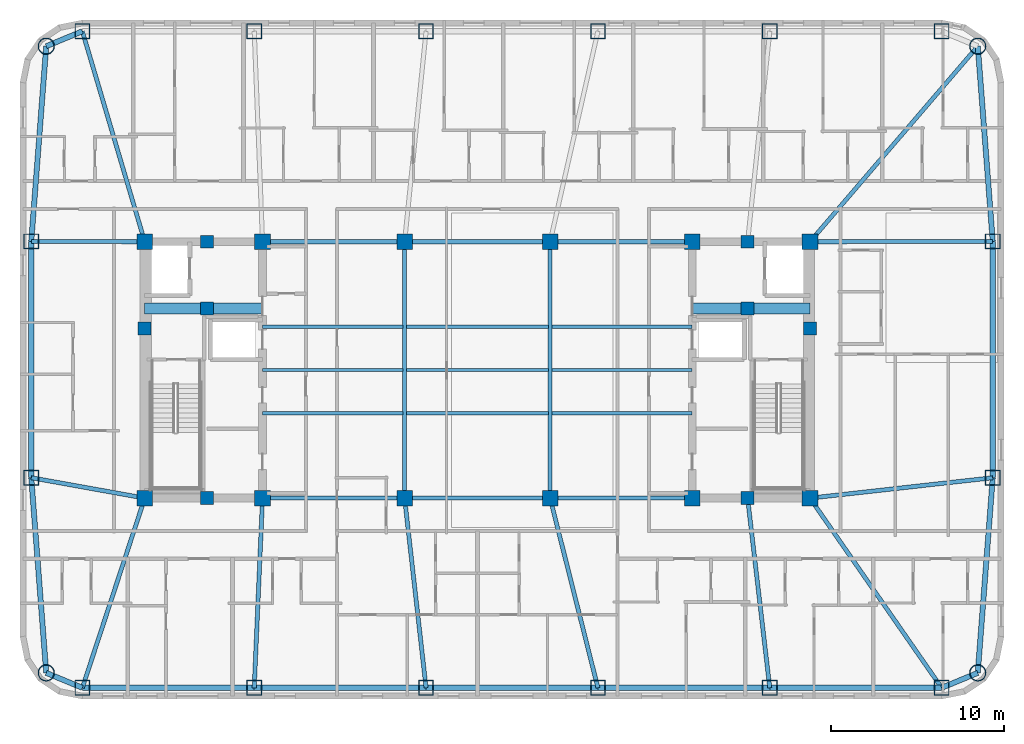
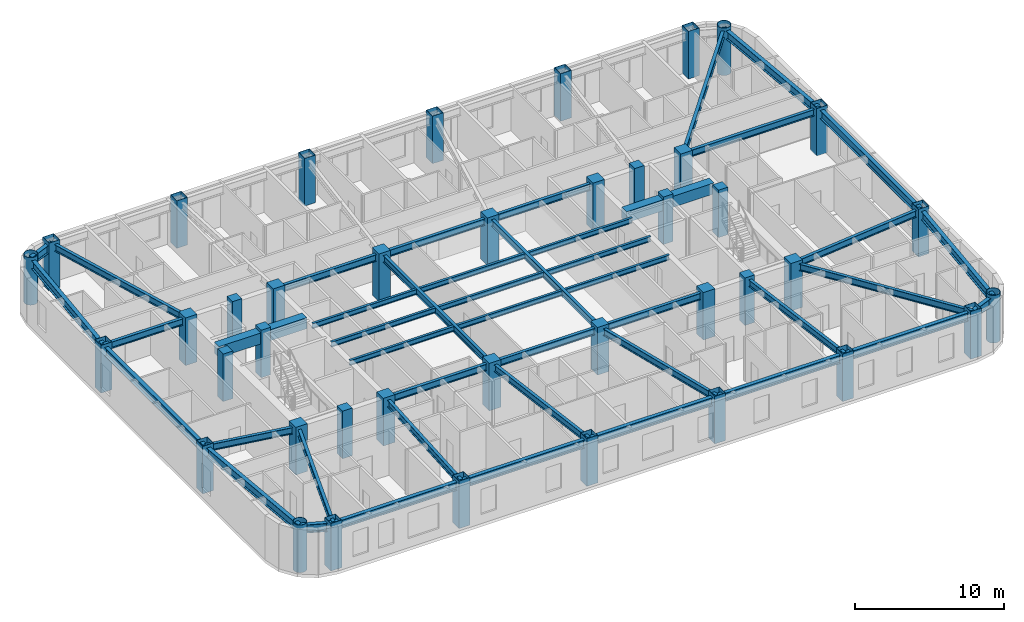
# One storey, part 1 of 11: 45 beams, 40 columns.
"""IFC4 building model written with IfcOpenShell, lengths in metres."""

import ifcopenshell
import ifcopenshell.guid

model = None  # the IFC model being written
_history = None  # IfcOwnerHistory: only IFC2X3 demands one
_inside = {}  # id of a spatial element -> (the spatial element, [elements in it])
_under = {}  # id of a project, library or spatial element -> (it, [spatial elements below it])
_declared = {}  # id of a project -> (the project, [libraries it declares])
_typed = {}  # id of a type object -> (the type object, [elements of that type])
_made_of = {}  # id of a material, layer set ... -> (it, [elements and type objects made of it])


def new_model(schema):
    """Start an empty IFC model of exactly this schema.

    Asked for "IFC4X3", IfcOpenShell would pick the latest addendum, in which some entities
    have other attributes; the version numbers below select the first issue.
    IFC2X3 requires an IfcOwnerHistory on every rooted entity: one is made here for all.
    """
    global model, _history
    if schema == "IFC4X3":
        model = ifcopenshell.file(schema_version=(4, 3, 0, 0))
    else:
        model = ifcopenshell.file(schema=schema)
    _inside.clear()
    _under.clear()
    _declared.clear()
    _typed.clear()
    _made_of.clear()
    _history = None
    if model.schema == "IFC2X3":
        org = make("IfcOrganization", Name="unknown")
        user = make(
            "IfcPersonAndOrganization",
            ThePerson=make("IfcPerson", FamilyName="unknown"),
            TheOrganization=org,
        )
        app = make(
            "IfcApplication",
            ApplicationDeveloper=org,
            Version="unknown",
            ApplicationFullName="unknown",
            ApplicationIdentifier="unknown",
        )
        _history = make(
            "IfcOwnerHistory",
            OwningUser=user,
            OwningApplication=app,
            ChangeAction="ADDED",
            CreationDate=0,
        )
    return model


def make(cls, **values):
    """One entity of the class cls with the attributes given. An attribute that is None is left unset."""
    return model.create_entity(
        cls, **{name: value for name, value in values.items() if value is not None}
    )


def rooted(cls, **values):
    """An entity with a GlobalId (a new one), such as an element, a storey or a relation."""
    return make(cls, GlobalId=ifcopenshell.guid.new(), OwnerHistory=_history, **values)


def si_unit(unit_type, name, prefix=None):
    """IfcSIUnit, for example si_unit("LENGTHUNIT", "METRE", prefix="MILLI")."""
    return make("IfcSIUnit", UnitType=unit_type, Prefix=prefix, Name=name)


def assignment(units):
    """IfcUnitAssignment: the units of a project."""
    return None if units is None else make("IfcUnitAssignment", Units=units)


def point(xyz):
    """IfcCartesianPoint."""
    return None if xyz is None else make("IfcCartesianPoint", Coordinates=xyz)


def direction(xyz):
    """IfcDirection."""
    return None if xyz is None else make("IfcDirection", DirectionRatios=xyz)


def frame(location, z_axis=None, x_axis=None):
    """IfcAxis2Placement3D, a coordinate frame: its origin and axes. An axis left out is left unset."""
    return make(
        "IfcAxis2Placement3D",
        Location=point(location),
        Axis=direction(z_axis),
        RefDirection=direction(x_axis),
    )


def frame_2d(location, x_axis=None):
    """IfcAxis2Placement2D, a coordinate frame in the plane: its origin and x axis."""
    return make(
        "IfcAxis2Placement2D", Location=point(location), RefDirection=direction(x_axis)
    )


def origin():
    """The frame at (0, 0, 0) with its axes left unset."""
    return frame((0.0, 0.0, 0.0))


def origin_2d():
    """The frame at (0, 0) in the plane with its x axis left unset."""
    return frame_2d((0.0, 0.0))


def place(relative_to, where):
    """IfcLocalPlacement: puts the frame where relative to a parent placement (None: the world)."""
    return make(
        "IfcLocalPlacement", PlacementRelTo=relative_to, RelativePlacement=where
    )


def context(
    kind, dimensions, precision=None, world=None, true_north=None, identifier=None
):
    """IfcGeometricRepresentationContext, for example the 3D "Model" context."""
    return make(
        "IfcGeometricRepresentationContext",
        ContextIdentifier=identifier,
        ContextType=kind,
        CoordinateSpaceDimension=dimensions,
        Precision=precision,
        WorldCoordinateSystem=world,
        TrueNorth=true_north,
    )


def subcontext(parent, identifier, kind, view, scale=None):
    """IfcGeometricRepresentationSubContext, for example "Body" below "Model"."""
    return make(
        "IfcGeometricRepresentationSubContext",
        ContextIdentifier=identifier,
        ContextType=kind,
        ParentContext=parent,
        TargetScale=scale,
        TargetView=view,
    )


def project(units=None, contexts=None):
    """IfcProject with its units and contexts."""
    return rooted(
        "IfcProject",
        Name="project",
        RepresentationContexts=contexts,
        UnitsInContext=assignment(units),
    )


def spatial(cls, under=None, at=None, **own):
    """A site, building, storey or space (cls), placed at a placement, below another one or the project."""
    s = rooted(cls, ObjectPlacement=at, **own)
    if under is not None:
        _under.setdefault(under.id(), (under, []))[1].append(s)
    return s


def profile(cls, at=None, kind="AREA", **sizes):
    """A parametric profile (cls). Its sizes go by their IFC names, for example OverallWidth=200.0."""
    return make(cls, ProfileType=kind, Position=at, **sizes)


def rectangle(**sizes):
    """IfcRectangleProfileDef."""
    return profile("IfcRectangleProfileDef", **sizes)


def hollow_rectangle(**sizes):
    """IfcRectangleHollowProfileDef."""
    return profile("IfcRectangleHollowProfileDef", **sizes)


def hollow_circle(**sizes):
    """IfcCircleHollowProfileDef."""
    return profile("IfcCircleHollowProfileDef", **sizes)


def i_section(**sizes):
    """IfcIShapeProfileDef."""
    return profile("IfcIShapeProfileDef", **sizes)


def extrude(swept, where, along, depth):
    """IfcExtrudedAreaSolid: the profile swept, set in the frame where, extruded along a direction by depth."""
    return make(
        "IfcExtrudedAreaSolid",
        SweptArea=swept,
        Position=where,
        ExtrudedDirection=direction(along),
        Depth=depth,
    )


def shape(context_of_items, identifier, shape_type, items):
    """IfcShapeRepresentation: the items that make up one representation, for example the "Body"."""
    return make(
        "IfcShapeRepresentation",
        ContextOfItems=context_of_items,
        RepresentationIdentifier=identifier,
        RepresentationType=shape_type,
        Items=items,
    )


def material(Name=None, Category=None):
    """IfcMaterial."""
    return make("IfcMaterial", Name=Name, Category=Category)


def material_profile(
    of_material, cross_section, Name=None, Category=None, Priority=None
):
    """IfcMaterialProfile: a cross section and its material."""
    return make(
        "IfcMaterialProfile",
        Name=Name,
        Material=of_material,
        Profile=cross_section,
        Priority=Priority,
        Category=Category,
    )


def profile_set(profiles, Name=None, composite=None):
    """IfcMaterialProfileSet."""
    return make(
        "IfcMaterialProfileSet",
        Name=Name,
        MaterialProfiles=profiles,
        CompositeProfile=composite,
    )


def made_of(thing, what):
    """Note that an element or type object is made of a material, layer set ...; save() writes the relation."""
    if what is not None:
        _made_of.setdefault(what.id(), (what, []))[1].append(thing)
    return thing


def type_object(cls, material=None, **own):
    """A type object (cls), such as IfcWallType, which elements share."""
    return made_of(rooted(cls, **own), material)


def element(
    cls,
    number,
    at=None,
    inside=None,
    cuts=None,
    type_object=None,
    material=None,
    context=None,
    identifier="Body",
    shape_type=None,
    held_by="IfcProductDefinitionShape",
    body=None,
    shapes=None,
    **own,
):
    """One element of the class cls, such as IfcWall. Its Tag is "e" and its number.

    at: its placement. inside: the storey or other place that contains it. cuts: it is an
    opening in that element (IfcRelVoidsElement). A single representation is given by context,
    identifier, shape_type and body (its items); several are given by shapes. held_by: the class
    of the entity that holds the representations. save() writes the other relations.
    """
    e = rooted(cls, Tag="e%d" % number, ObjectPlacement=at, **own)
    if body is not None:
        shapes = [shape(context, identifier, shape_type, body)]
    if shapes is not None:
        e.Representation = make(held_by, Representations=shapes)
    if inside is not None:
        _inside.setdefault(inside.id(), (inside, []))[1].append(e)
    if cuts is not None:
        rooted(
            "IfcRelVoidsElement", RelatingBuildingElement=cuts, RelatedOpeningElement=e
        )
    if type_object is not None:
        _typed.setdefault(type_object.id(), (type_object, []))[1].append(e)
    return made_of(e, material)


def aggregate(whole, parts):
    """IfcRelAggregates: a whole, such as a stair, and the parts it consists of."""
    return rooted("IfcRelAggregates", RelatingObject=whole, RelatedObjects=parts)


def save(model, path):
    """Write the relations noted so far, then the file.

    IfcRelAggregates (storeys below a building ...), IfcRelContainedInSpatialStructure (elements
    in a storey), IfcRelDefinesByType, IfcRelAssociatesMaterial and IfcRelDeclares: one each for
    every whole, place, type object, material and project.
    """
    for whole, parts in _under.values():
        aggregate(whole, parts)
    for where, things in _inside.values():
        rooted(
            "IfcRelContainedInSpatialStructure",
            RelatedElements=things,
            RelatingStructure=where,
        )
    for kind, things in _typed.values():
        rooted("IfcRelDefinesByType", RelatedObjects=things, RelatingType=kind)
    for what, things in _made_of.values():
        rooted("IfcRelAssociatesMaterial", RelatedObjects=things, RelatingMaterial=what)
    for by, libraries in _declared.values():
        rooted("IfcRelDeclares", RelatingContext=by, RelatedDefinitions=libraries)
    model.write(path)


model = new_model("IFC4")

# Units and contexts
model_context = context("Model", 3, precision=1e-05, world=origin(), true_north=direction((0.0, 1.0)))
body_context = subcontext(model_context, "Body", "Model", "MODEL_VIEW")
ifc_project = project(units=[si_unit("LENGTHUNIT", "METRE"), si_unit("AREAUNIT", "SQUARE_METRE"), si_unit("VOLUMEUNIT", "CUBIC_METRE"), si_unit("PLANEANGLEUNIT", "RADIAN"), si_unit("MASSUNIT", "GRAM", prefix="KILO")], contexts=[model_context])

# Site, building, storey
site_placement = place(None, origin())
site = spatial("IfcSite", under=ifc_project, at=site_placement, CompositionType="ELEMENT")
building_placement = place(site_placement, origin())
building = spatial("IfcBuilding", under=site, at=building_placement, Name="Voryun Gate Residences", CompositionType="ELEMENT")
storey_placement = place(building_placement, frame((0.0, 0.0, 243.10009765625)))
storey = spatial("IfcBuildingStorey", under=building, at=storey_placement, Name="L60", CompositionType="ELEMENT", Elevation=243.10009765625)

# Columns
ifc_material_1 = material(Name="Concrete C50/60", Category="concrete")
ifc_material_profile_1 = material_profile(ifc_material_1, rectangle(XDim=0.75, YDim=0.75, at=origin_2d()), Name="RC-750x750")
ifc_profile_set_1 = profile_set([ifc_material_profile_1], Name="Concrete C50/60")
column_type_1 = type_object("IfcColumnType", Name="COL_CORE_750", PredefinedType="COLUMN", material=ifc_profile_set_1)
for number, where, z_axis, x_axis, name in (
    (1, (-19.199951171875, 2.39990234375, 0.0), (0.0, 0.0, 1.0), (1.0, 0.0, 0.0), "L60 Core boundary column WC-MW"),
    (2, (-15.60009765625, -7.39990234375, 0.0), (0.0, 0.0, 1.0), (1.0, 0.0, 0.0), "L60 Core boundary column WC-SM"),
    (3, (-15.60009765625, 7.39990234375, 0.0), (0.0, 0.0, 1.0), (1.0, 0.0, 0.0), "L60 Core boundary column WC-NM"),
    (4, (-15.60009765625, 3.550048828125, 0.0), (0.0, 0.0, 1.0), (1.0, 0.0, 0.0), "L60 Core boundary column WC-MM"),
    (5, (15.60009765625, 3.550048828125, 0.0), (0.0, 0.0, 1.0), (1.0, 0.0, 0.0), "L60 Core boundary column EC-MM"),
    (6, (15.60009765625, -7.39990234375, 0.0), (0.0, 0.0, 1.0), (1.0, 0.0, 0.0), "L60 Core boundary column EC-SM"),
    (7, (15.60009765625, 7.39990234375, 0.0), (0.0, 0.0, 1.0), (1.0, 0.0, 0.0), "L60 Core boundary column EC-NM"),
    (8, (19.199951171875, 2.39990234375, 0.0), (0.0, 0.0, 1.0), (1.0, 0.0, 0.0), "L60 Core boundary column EC-ME"),
):
    element("IfcColumn", number, at=place(storey_placement, frame(where, z_axis=z_axis, x_axis=x_axis)), inside=storey, type_object=column_type_1, Name=name, PredefinedType="COLUMN", context=body_context, shape_type="SweptSolid", body=[
        extrude(rectangle(XDim=0.75, YDim=0.75, at=origin_2d()), origin(), (0.0, 0.0, 1.0), 3.89990234375),
    ])
ifc_material_2 = material(Name="Concrete C50/60", Category="concrete")
ifc_material_profile_2 = material_profile(ifc_material_2, rectangle(XDim=0.89990234375, YDim=0.89990234375, at=origin_2d()), Name="RC-900x900")
ifc_profile_set_2 = profile_set([ifc_material_profile_2], Name="Concrete C50/60")
column_type_2 = type_object("IfcColumnType", Name="COL_CORE_900", PredefinedType="COLUMN", material=ifc_profile_set_2)
for number, where, z_axis, x_axis, name in (
    (9, (-19.199951171875, -7.39990234375, 0.0), (0.0, 0.0, 1.0), (1.0, 0.0, 0.0), "L60 Core boundary column WC-SW"),
    (10, (-19.199951171875, 7.39990234375, 0.0), (0.0, 0.0, 1.0), (1.0, 0.0, 0.0), "L60 Core boundary column WC-NW"),
    (11, (-12.39990234375, -7.39990234375, 0.0), (0.0, 0.0, 1.0), (1.0, 0.0, 0.0), "L60 Core boundary column WC-SE"),
    (12, (-12.39990234375, 7.39990234375, 0.0), (0.0, 0.0, 1.0), (1.0, 0.0, 0.0), "L60 Core boundary column WC-NE"),
    (13, (12.39990234375, -7.39990234375, 0.0), (0.0, 0.0, 1.0), (1.0, 0.0, 0.0), "L60 Core boundary column EC-SW"),
    (14, (12.39990234375, 7.39990234375, 0.0), (0.0, 0.0, 1.0), (1.0, 0.0, 0.0), "L60 Core boundary column EC-NW"),
    (15, (19.199951171875, -7.39990234375, 0.0), (0.0, 0.0, 1.0), (1.0, 0.0, 0.0), "L60 Core boundary column EC-SE"),
    (16, (19.199951171875, 7.39990234375, 0.0), (0.0, 0.0, 1.0), (1.0, 0.0, 0.0), "L60 Core boundary column EC-NE"),
    (17, (-4.199951171875, -7.39990234375, 0.0), (0.0, 0.0, 1.0), (1.0, 0.0, 0.0), "L60 Interior spine column SP-WS"),
    (18, (-4.199951171875, 7.39990234375, 0.0), (0.0, 0.0, 1.0), (1.0, 0.0, 0.0), "L60 Interior spine column SP-WN"),
    (19, (4.199951171875, -7.39990234375, 0.0), (0.0, 0.0, 1.0), (1.0, 0.0, 0.0), "L60 Interior spine column SP-ES"),
    (20, (4.199951171875, 7.39990234375, 0.0), (0.0, 0.0, 1.0), (1.0, 0.0, 0.0), "L60 Interior spine column SP-EN"),
):
    element("IfcColumn", number, at=place(storey_placement, frame(where, z_axis=z_axis, x_axis=x_axis)), inside=storey, type_object=column_type_2, Name=name, PredefinedType="COLUMN", context=body_context, shape_type="SweptSolid", body=[
        extrude(rectangle(XDim=0.89990234375, YDim=0.89990234375, at=origin_2d()), origin(), (0.0, 0.0, 1.0), 3.89990234375),
    ])
ifc_material_3 = material(Name="Steel SM420", Category="steel")
ifc_material_profile_3 = material_profile(ifc_material_3, hollow_circle(Radius=0.47509765625, WallThickness=0.031982421875, at=origin_2d()), Name="CHS-950x32")
ifc_profile_set_3 = profile_set([ifc_material_profile_3], Name="Steel SM420")
column_type_3 = type_object("IfcColumnType", Name="COL_CRN_950", PredefinedType="COLUMN", material=ifc_profile_set_3)
for number, where, z_axis, x_axis, name in (
    (21, (28.885986328125, -17.486083984375, 0.0), (0.0, 0.0, 1.0), (1.0, 0.0, 0.0), "L60 Exoskeleton column CSE"),
    (22, (28.885986328125, 18.68603515625, 0.0), (0.0, 0.0, 1.0), (1.0, 0.0, 0.0), "L60 Exoskeleton column CNE"),
    (23, (-24.885986328125, 18.68603515625, 0.0), (0.0, 0.0, 1.0), (1.0, 0.0, 0.0), "L60 Exoskeleton column CNW"),
    (24, (-24.885986328125, -17.486083984375, 0.0), (0.0, 0.0, 1.0), (1.0, 0.0, 0.0), "L60 Exoskeleton column CSW"),
):
    element("IfcColumn", number, at=place(storey_placement, frame(where, z_axis=z_axis, x_axis=x_axis)), inside=storey, type_object=column_type_3, Name=name, PredefinedType="COLUMN", context=body_context, shape_type="SweptSolid", body=[
        extrude(hollow_circle(Radius=0.47509765625, WallThickness=0.031982421875, at=origin_2d()), origin(), (0.0, 0.0, 1.0), 3.89990234375),
    ])
ifc_material_4 = material(Name="Steel SM355", Category="steel")
ifc_material_profile_4 = material_profile(ifc_material_4, hollow_rectangle(XDim=0.85009765625, YDim=0.85009765625, WallThickness=0.028076171875, at=origin_2d()), Name="BOX-850x850x28")
ifc_profile_set_4 = profile_set([ifc_material_profile_4], Name="Steel SM355")
column_type_4 = type_object("IfcColumnType", Name="COL_EXO_B4", PredefinedType="COLUMN", material=ifc_profile_set_4)
for number, where, z_axis, x_axis, name in (
    (25, (-22.800048828125, -18.35009765625, 0.0), (0.0, 0.0, 1.0), (1.0, 0.0, 0.0), "L60 Exoskeleton column S1"),
    (26, (-12.8798828125, -18.35009765625, 0.0), (0.0, 0.0, 1.0), (1.0, 0.0, 0.0), "L60 Exoskeleton column S2"),
    (27, (-2.9599609375, -18.35009765625, 0.0), (0.0, 0.0, 1.0), (1.0, 0.0, 0.0), "L60 Exoskeleton column S3"),
    (28, (6.9599609375, -18.35009765625, 0.0), (0.0, 0.0, 1.0), (1.0, 0.0, 0.0), "L60 Exoskeleton column S4"),
    (29, (16.8798828125, -18.35009765625, 0.0), (0.0, 0.0, 1.0), (1.0, 0.0, 0.0), "L60 Exoskeleton column S5"),
    (30, (26.800048828125, -18.35009765625, 0.0), (0.0, 0.0, 1.0), (1.0, 0.0, 0.0), "L60 Exoskeleton column S6"),
    (31, (29.75, -6.221923828125, 0.0), (0.0, 0.0, 1.0), (1.0, 0.0, 0.0), "L60 Exoskeleton column E1"),
    (32, (29.75, 7.422119140625, 0.0), (0.0, 0.0, 1.0), (1.0, 0.0, 0.0), "L60 Exoskeleton column E2"),
    (33, (26.800048828125, 19.550048828125, 0.0), (0.0, 0.0, 1.0), (1.0, 0.0, 0.0), "L60 Exoskeleton column N1"),
    (34, (16.8798828125, 19.550048828125, 0.0), (0.0, 0.0, 1.0), (1.0, 0.0, 0.0), "L60 Exoskeleton column N2"),
    (35, (6.9599609375, 19.550048828125, 0.0), (0.0, 0.0, 1.0), (1.0, 0.0, 0.0), "L60 Exoskeleton column N3"),
    (36, (-2.9599609375, 19.550048828125, 0.0), (0.0, 0.0, 1.0), (1.0, 0.0, 0.0), "L60 Exoskeleton column N4"),
    (37, (-12.8798828125, 19.550048828125, 0.0), (0.0, 0.0, 1.0), (1.0, 0.0, 0.0), "L60 Exoskeleton column N5"),
    (38, (-22.800048828125, 19.550048828125, 0.0), (0.0, 0.0, 1.0), (1.0, 0.0, 0.0), "L60 Exoskeleton column N6"),
    (39, (-25.75, 7.422119140625, 0.0), (0.0, 0.0, 1.0), (1.0, 0.0, 0.0), "L60 Exoskeleton column W1"),
    (40, (-25.75, -6.221923828125, 0.0), (0.0, 0.0, 1.0), (1.0, 0.0, 0.0), "L60 Exoskeleton column W2"),
):
    element("IfcColumn", number, at=place(storey_placement, frame(where, z_axis=z_axis, x_axis=x_axis)), inside=storey, type_object=column_type_4, Name=name, PredefinedType="COLUMN", context=body_context, shape_type="SweptSolid", body=[
        extrude(hollow_rectangle(XDim=0.85009765625, YDim=0.85009765625, WallThickness=0.028076171875, at=origin_2d()), origin(), (0.0, 0.0, 1.0), 3.89990234375),
    ])

# Beams
ifc_material_5 = material(Name="Concrete C60/75", Category="concrete")
ifc_material_profile_5 = material_profile(ifc_material_5, rectangle(XDim=0.64990234375, YDim=0.89990234375, at=origin_2d()), Name="RC-650x900")
ifc_profile_set_5 = profile_set([ifc_material_profile_5], Name="Concrete C60/75")
beam_type_1 = type_object("IfcBeamType", Name="BM_COUP_RC900", PredefinedType="LINTEL", material=ifc_profile_set_5)
for number, where, z_axis, x_axis, name in (
    (41, (-19.199951171875, 3.550048828125, 3.199951171875), (1.0, 0.0, 0.0), (0.0, 1.0, 0.0), "BM-L60-WC1"),
    (42, (12.39990234375, 3.550048828125, 3.199951171875), (1.0, 0.0, 0.0), (0.0, 1.0, 0.0), "BM-L60-EC1"),
):
    element("IfcBeam", number, at=place(storey_placement, frame(where, z_axis=z_axis, x_axis=x_axis)), inside=storey, type_object=beam_type_1, Name=name, PredefinedType="LINTEL", context=body_context, shape_type="SweptSolid", body=[
        extrude(rectangle(XDim=0.64990234375, YDim=0.89990234375, at=origin_2d()), origin(), (0.0, 0.0, 1.0), 6.800048828125),
    ])
ifc_material_6 = material(Name="Steel SM355", Category="steel")
ifc_material_profile_6 = material_profile(ifc_material_6, i_section(OverallWidth=0.300048828125, OverallDepth=0.679931640625, WebThickness=0.013916015625, FlangeThickness=0.02490234375, FilletRadius=0.01806640625, at=origin_2d()), Name="H-680x300x14x25")
ifc_profile_set_6 = profile_set([ifc_material_profile_6], Name="Steel SM355")
beam_type_2 = type_object("IfcBeamType", Name="BM_EXO_SPANDREL_M", PredefinedType="SPANDREL", material=ifc_profile_set_6)
beam_1_placement = place(storey_placement, frame((-22.800048828125, -18.35009765625, 3.309814453125), z_axis=(1.0, 0.0, 0.0), x_axis=(0.0, 1.0, 0.0)))
element("IfcBeam", 43, at=beam_1_placement, inside=storey, type_object=beam_type_2, Name="BM-L60-SPAND-01", PredefinedType="SPANDREL", context=body_context, shape_type="SweptSolid", body=[
    extrude(i_section(OverallWidth=0.300048828125, OverallDepth=0.679931640625, WebThickness=0.013916015625, FlangeThickness=0.02490234375, FilletRadius=0.01806640625, at=origin_2d()), origin(), (0.0, 0.0, 1.0), 9.920166015625),
])
for number, where, z_axis, x_axis, name in (
    (44, (-12.8798828125, -18.35009765625, 3.309814453125), (1.0, 0.0, 0.0), (0.0, 1.0, 0.0), "BM-L60-SPAND-02"),
    (45, (-2.9599609375, -18.35009765625, 3.309814453125), (1.0, 0.0, 0.0), (0.0, 1.0, 0.0), "BM-L60-SPAND-03"),
    (46, (6.9599609375, -18.35009765625, 3.309814453125), (1.0, 0.0, 0.0), (0.0, 1.0, 0.0), "BM-L60-SPAND-04"),
):
    element("IfcBeam", number, at=place(storey_placement, frame(where, z_axis=z_axis, x_axis=x_axis)), inside=storey, type_object=beam_type_2, Name=name, PredefinedType="SPANDREL", context=body_context, shape_type="SweptSolid", body=[
        extrude(i_section(OverallWidth=0.300048828125, OverallDepth=0.679931640625, WebThickness=0.013916015625, FlangeThickness=0.02490234375, FilletRadius=0.01806640625, at=origin_2d()), origin(), (0.0, 0.0, 1.0), 9.919921875),
    ])
beam_2_placement = place(storey_placement, frame((16.8798828125, -18.35009765625, 3.309814453125), z_axis=(1.0, 0.0, 0.0), x_axis=(0.0, 1.0, 0.0)))
element("IfcBeam", 47, at=beam_2_placement, inside=storey, type_object=beam_type_2, Name="BM-L60-SPAND-05", PredefinedType="SPANDREL", context=body_context, shape_type="SweptSolid", body=[
    extrude(i_section(OverallWidth=0.300048828125, OverallDepth=0.679931640625, WebThickness=0.013916015625, FlangeThickness=0.02490234375, FilletRadius=0.01806640625, at=origin_2d()), origin(), (0.0, 0.0, 1.0), 9.920166015625),
])
beam_3_placement = place(storey_placement, frame((26.800048828125, -18.35009765625, 3.309814453125), z_axis=(0.923881087602, 0.382679678022, 0.0), x_axis=(-0.382679678022, 0.923881087602, 0.0)))
element("IfcBeam", 48, at=beam_3_placement, inside=storey, type_object=beam_type_2, Name="BM-L60-SPAND-06", PredefinedType="SPANDREL", context=body_context, shape_type="SweptSolid", body=[
    extrude(i_section(OverallWidth=0.300048828125, OverallDepth=0.679931640625, WebThickness=0.013916015625, FlangeThickness=0.02490234375, FilletRadius=0.01806640625, at=origin_2d()), origin(), (0.0, 0.0, 1.0), 2.2578125),
])
beam_4_placement = place(storey_placement, frame((28.885986328125, -17.486083984375, 3.309814453125), z_axis=(0.076480009441, 0.997071114894, 0.0), x_axis=(-0.997071114894, 0.076480009441, 0.0)))
element("IfcBeam", 49, at=beam_4_placement, inside=storey, type_object=beam_type_2, Name="BM-L60-SPAND-07", PredefinedType="SPANDREL", context=body_context, shape_type="SweptSolid", body=[
    extrude(i_section(OverallWidth=0.300048828125, OverallDepth=0.679931640625, WebThickness=0.013916015625, FlangeThickness=0.02490234375, FilletRadius=0.01806640625, at=origin_2d()), origin(), (0.0, 0.0, 1.0), 11.29736328125),
])
beam_5_placement = place(storey_placement, frame((29.75, -6.221923828125, 3.309814453125), z_axis=(0.0, 1.0, 0.0), x_axis=(-1.0, 0.0, 0.0)))
element("IfcBeam", 50, at=beam_5_placement, inside=storey, type_object=beam_type_2, Name="BM-L60-SPAND-08", PredefinedType="SPANDREL", context=body_context, shape_type="SweptSolid", body=[
    extrude(i_section(OverallWidth=0.300048828125, OverallDepth=0.679931640625, WebThickness=0.013916015625, FlangeThickness=0.02490234375, FilletRadius=0.01806640625, at=origin_2d()), origin(), (0.0, 0.0, 1.0), 13.64404296875),
])
beam_6_placement = place(storey_placement, frame((29.75, 7.422119140625, 3.309814453125), z_axis=(-0.076481657417, 0.997070988485, 0.0), x_axis=(-0.997070988485, -0.076481657417, 0.0)))
element("IfcBeam", 51, at=beam_6_placement, inside=storey, type_object=beam_type_2, Name="BM-L60-SPAND-09", PredefinedType="SPANDREL", context=body_context, shape_type="SweptSolid", body=[
    extrude(i_section(OverallWidth=0.300048828125, OverallDepth=0.679931640625, WebThickness=0.013916015625, FlangeThickness=0.02490234375, FilletRadius=0.01806640625, at=origin_2d()), origin(), (0.0, 0.0, 1.0), 11.297119140625),
])
beam_7_placement = place(storey_placement, frame((-22.800048828125, 19.550048828125, 3.309814453125), z_axis=(-0.923881087602, -0.382679678022, 0.0), x_axis=(0.382679678022, -0.923881087602, 0.0)))
element("IfcBeam", 52, at=beam_7_placement, inside=storey, type_object=beam_type_2, Name="BM-L60-SPAND-16", PredefinedType="SPANDREL", context=body_context, shape_type="SweptSolid", body=[
    extrude(i_section(OverallWidth=0.300048828125, OverallDepth=0.679931640625, WebThickness=0.013916015625, FlangeThickness=0.02490234375, FilletRadius=0.01806640625, at=origin_2d()), origin(), (0.0, 0.0, 1.0), 2.2578125),
])
beam_8_placement = place(storey_placement, frame((-24.885986328125, 18.68603515625, 3.309814453125), z_axis=(-0.076481657417, -0.997070988485, 0.0), x_axis=(0.997070988485, -0.076481657417, 0.0)))
element("IfcBeam", 53, at=beam_8_placement, inside=storey, type_object=beam_type_2, Name="BM-L60-SPAND-17", PredefinedType="SPANDREL", context=body_context, shape_type="SweptSolid", body=[
    extrude(i_section(OverallWidth=0.300048828125, OverallDepth=0.679931640625, WebThickness=0.013916015625, FlangeThickness=0.02490234375, FilletRadius=0.01806640625, at=origin_2d()), origin(), (0.0, 0.0, 1.0), 11.297119140625),
])
beam_9_placement = place(storey_placement, frame((-25.75, 7.422119140625, 3.309814453125), z_axis=(0.0, -1.0, 0.0), x_axis=(1.0, 0.0, 0.0)))
element("IfcBeam", 54, at=beam_9_placement, inside=storey, type_object=beam_type_2, Name="BM-L60-SPAND-18", PredefinedType="SPANDREL", context=body_context, shape_type="SweptSolid", body=[
    extrude(i_section(OverallWidth=0.300048828125, OverallDepth=0.679931640625, WebThickness=0.013916015625, FlangeThickness=0.02490234375, FilletRadius=0.01806640625, at=origin_2d()), origin(), (0.0, 0.0, 1.0), 13.64404296875),
])
beam_10_placement = place(storey_placement, frame((-25.75, -6.221923828125, 3.309814453125), z_axis=(0.076480009441, -0.997071114894, 0.0), x_axis=(0.997071114894, 0.076480009441, 0.0)))
element("IfcBeam", 55, at=beam_10_placement, inside=storey, type_object=beam_type_2, Name="BM-L60-SPAND-19", PredefinedType="SPANDREL", context=body_context, shape_type="SweptSolid", body=[
    extrude(i_section(OverallWidth=0.300048828125, OverallDepth=0.679931640625, WebThickness=0.013916015625, FlangeThickness=0.02490234375, FilletRadius=0.01806640625, at=origin_2d()), origin(), (0.0, 0.0, 1.0), 11.29736328125),
])
beam_11_placement = place(storey_placement, frame((-24.885986328125, -17.486083984375, 3.309814453125), z_axis=(0.923881087602, -0.382679678022, 0.0), x_axis=(0.382679678022, 0.923881087602, 0.0)))
element("IfcBeam", 56, at=beam_11_placement, inside=storey, type_object=beam_type_2, Name="BM-L60-SPAND-20", PredefinedType="SPANDREL", context=body_context, shape_type="SweptSolid", body=[
    extrude(i_section(OverallWidth=0.300048828125, OverallDepth=0.679931640625, WebThickness=0.013916015625, FlangeThickness=0.02490234375, FilletRadius=0.01806640625, at=origin_2d()), origin(), (0.0, 0.0, 1.0), 2.2578125),
])
ifc_material_7 = material(Name="Steel SM355", Category="steel")
ifc_material_profile_7 = material_profile(ifc_material_7, i_section(OverallWidth=0.239990234375, OverallDepth=0.550048828125, WebThickness=0.011962890625, FlangeThickness=0.02001953125, FilletRadius=0.01806640625, at=origin_2d()), Name="H-550x240x12x20")
ifc_profile_set_7 = profile_set([ifc_material_profile_7], Name="Steel SM355")
beam_type_3 = type_object("IfcBeamType", Name="BM_GIRD_550", PredefinedType="USERDEFINED", material=ifc_profile_set_7)
beam_12_placement = place(storey_placement, frame((-12.39990234375, -7.39990234375, 3.375), z_axis=(1.0, 0.0, 0.0), x_axis=(0.0, 1.0, 0.0)))
element("IfcBeam", 57, at=beam_12_placement, inside=storey, type_object=beam_type_3, Name="BM-L60-SPG1-S", ObjectType="GIRDER", PredefinedType="USERDEFINED", context=body_context, shape_type="SweptSolid", body=[
    extrude(i_section(OverallWidth=0.239990234375, OverallDepth=0.550048828125, WebThickness=0.011962890625, FlangeThickness=0.02001953125, FilletRadius=0.01806640625, at=origin_2d()), origin(), (0.0, 0.0, 1.0), 8.199951171875),
])
beam_13_placement = place(storey_placement, frame((-4.199951171875, -7.39990234375, 3.375), z_axis=(1.0, 0.0, 0.0), x_axis=(0.0, 1.0, 0.0)))
element("IfcBeam", 58, at=beam_13_placement, inside=storey, type_object=beam_type_3, Name="BM-L60-SPG2-S", ObjectType="GIRDER", PredefinedType="USERDEFINED", context=body_context, shape_type="SweptSolid", body=[
    extrude(i_section(OverallWidth=0.239990234375, OverallDepth=0.550048828125, WebThickness=0.011962890625, FlangeThickness=0.02001953125, FilletRadius=0.01806640625, at=origin_2d()), origin(), (0.0, 0.0, 1.0), 8.39990234375),
])
for number, where, z_axis, x_axis, name in (
    (59, (4.199951171875, -7.39990234375, 3.375), (1.0, 0.0, 0.0), (0.0, 1.0, 0.0), "BM-L60-SPG3-S"),
    (60, (-12.39990234375, 7.39990234375, 3.375), (1.0, 0.0, 0.0), (0.0, 1.0, 0.0), "BM-L60-SPG1-N"),
):
    element("IfcBeam", number, at=place(storey_placement, frame(where, z_axis=z_axis, x_axis=x_axis)), inside=storey, type_object=beam_type_3, Name=name, ObjectType="GIRDER", PredefinedType="USERDEFINED", context=body_context, shape_type="SweptSolid", body=[
        extrude(i_section(OverallWidth=0.239990234375, OverallDepth=0.550048828125, WebThickness=0.011962890625, FlangeThickness=0.02001953125, FilletRadius=0.01806640625, at=origin_2d()), origin(), (0.0, 0.0, 1.0), 8.199951171875),
    ])
beam_14_placement = place(storey_placement, frame((-4.199951171875, 7.39990234375, 3.375), z_axis=(1.0, 0.0, 0.0), x_axis=(0.0, 1.0, 0.0)))
element("IfcBeam", 61, at=beam_14_placement, inside=storey, type_object=beam_type_3, Name="BM-L60-SPG2-N", ObjectType="GIRDER", PredefinedType="USERDEFINED", context=body_context, shape_type="SweptSolid", body=[
    extrude(i_section(OverallWidth=0.239990234375, OverallDepth=0.550048828125, WebThickness=0.011962890625, FlangeThickness=0.02001953125, FilletRadius=0.01806640625, at=origin_2d()), origin(), (0.0, 0.0, 1.0), 8.39990234375),
])
beam_15_placement = place(storey_placement, frame((4.199951171875, 7.39990234375, 3.375), z_axis=(1.0, 0.0, 0.0), x_axis=(0.0, 1.0, 0.0)))
element("IfcBeam", 62, at=beam_15_placement, inside=storey, type_object=beam_type_3, Name="BM-L60-SPG3-N", ObjectType="GIRDER", PredefinedType="USERDEFINED", context=body_context, shape_type="SweptSolid", body=[
    extrude(i_section(OverallWidth=0.239990234375, OverallDepth=0.550048828125, WebThickness=0.011962890625, FlangeThickness=0.02001953125, FilletRadius=0.01806640625, at=origin_2d()), origin(), (0.0, 0.0, 1.0), 8.199951171875),
])
for number, where, z_axis, x_axis, name in (
    (63, (-4.199951171875, -7.39990234375, 3.375), (0.0, 1.0, 0.0), (-1.0, 0.0, 0.0), "BM-L60-SPX-W"),
    (64, (4.199951171875, -7.39990234375, 3.375), (0.0, 1.0, 0.0), (-1.0, 0.0, 0.0), "BM-L60-SPX-E"),
):
    element("IfcBeam", number, at=place(storey_placement, frame(where, z_axis=z_axis, x_axis=x_axis)), inside=storey, type_object=beam_type_3, Name=name, ObjectType="GIRDER", PredefinedType="USERDEFINED", context=body_context, shape_type="SweptSolid", body=[
        extrude(i_section(OverallWidth=0.239990234375, OverallDepth=0.550048828125, WebThickness=0.011962890625, FlangeThickness=0.02001953125, FilletRadius=0.01806640625, at=origin_2d()), origin(), (0.0, 0.0, 1.0), 14.7998046875),
    ])
beam_16_placement = place(storey_placement, frame((-19.199951171875, -7.39990234375, 3.375), z_axis=(-0.312323693326, -0.949975742104, 0.0), x_axis=(0.949975742104, -0.312323693326, 0.0)))
element("IfcBeam", 65, at=beam_16_placement, inside=storey, type_object=beam_type_3, Name="BM-L60-RAD-S1", ObjectType="GIRDER", PredefinedType="USERDEFINED", context=body_context, shape_type="SweptSolid", body=[
    extrude(i_section(OverallWidth=0.239990234375, OverallDepth=0.550048828125, WebThickness=0.011962890625, FlangeThickness=0.02001953125, FilletRadius=0.01806640625, at=origin_2d()), origin(), (0.0, 0.0, 1.0), 11.52685546875),
])
beam_17_placement = place(storey_placement, frame((-12.39990234375, -7.39990234375, 3.375), z_axis=(-0.043791002488, -0.999040713936, 0.0), x_axis=(0.999040713936, -0.043791002488, 0.0)))
element("IfcBeam", 66, at=beam_17_placement, inside=storey, type_object=beam_type_3, Name="BM-L60-RAD-S2", ObjectType="GIRDER", PredefinedType="USERDEFINED", context=body_context, shape_type="SweptSolid", body=[
    extrude(i_section(OverallWidth=0.239990234375, OverallDepth=0.550048828125, WebThickness=0.011962890625, FlangeThickness=0.02001953125, FilletRadius=0.01806640625, at=origin_2d()), origin(), (0.0, 0.0, 1.0), 10.960693359375),
])
beam_18_placement = place(storey_placement, frame((-4.199951171875, -7.39990234375, 3.375), z_axis=(0.112519968476, -0.993649463691, 0.0), x_axis=(0.993649463691, 0.112519968476, 0.0)))
element("IfcBeam", 67, at=beam_18_placement, inside=storey, type_object=beam_type_3, Name="BM-L60-RAD-S3", ObjectType="GIRDER", PredefinedType="USERDEFINED", context=body_context, shape_type="SweptSolid", body=[
    extrude(i_section(OverallWidth=0.239990234375, OverallDepth=0.550048828125, WebThickness=0.011962890625, FlangeThickness=0.02001953125, FilletRadius=0.01806640625, at=origin_2d()), origin(), (0.0, 0.0, 1.0), 11.020263671875),
])
beam_19_placement = place(storey_placement, frame((4.199951171875, -7.39990234375, 3.375), z_axis=(0.24440715799, -0.969672697936, 0.0), x_axis=(0.969672697936, 0.24440715799, 0.0)))
element("IfcBeam", 68, at=beam_19_placement, inside=storey, type_object=beam_type_3, Name="BM-L60-RAD-S4", ObjectType="GIRDER", PredefinedType="USERDEFINED", context=body_context, shape_type="SweptSolid", body=[
    extrude(i_section(OverallWidth=0.239990234375, OverallDepth=0.550048828125, WebThickness=0.011962890625, FlangeThickness=0.02001953125, FilletRadius=0.01806640625, at=origin_2d()), origin(), (0.0, 0.0, 1.0), 11.292724609375),
])
beam_20_placement = place(storey_placement, frame((15.60009765625, -7.39990234375, 3.375), z_axis=(0.116083150214, -0.993239498931, 0.0), x_axis=(0.993239498931, 0.116083150214, 0.0)))
element("IfcBeam", 69, at=beam_20_placement, inside=storey, type_object=beam_type_3, Name="BM-L60-RAD-S5", ObjectType="GIRDER", PredefinedType="USERDEFINED", context=body_context, shape_type="SweptSolid", body=[
    extrude(i_section(OverallWidth=0.239990234375, OverallDepth=0.550048828125, WebThickness=0.011962890625, FlangeThickness=0.02001953125, FilletRadius=0.01806640625, at=origin_2d()), origin(), (0.0, 0.0, 1.0), 11.024658203125),
])
beam_21_placement = place(storey_placement, frame((19.199951171875, -7.39990234375, 3.375), z_axis=(0.570182975489, -0.821517726201, 0.0), x_axis=(0.821517726201, 0.570182975489, 0.0)))
element("IfcBeam", 70, at=beam_21_placement, inside=storey, type_object=beam_type_3, Name="BM-L60-RAD-S6", ObjectType="GIRDER", PredefinedType="USERDEFINED", context=body_context, shape_type="SweptSolid", body=[
    extrude(i_section(OverallWidth=0.239990234375, OverallDepth=0.550048828125, WebThickness=0.011962890625, FlangeThickness=0.02001953125, FilletRadius=0.01806640625, at=origin_2d()), origin(), (0.0, 0.0, 1.0), 13.329345703125),
])
beam_22_placement = place(storey_placement, frame((19.199951171875, -7.39990234375, 3.375), z_axis=(0.993824131675, 0.110966640486, 0.0), x_axis=(-0.110966640486, 0.993824131675, 0.0)))
element("IfcBeam", 71, at=beam_22_placement, inside=storey, type_object=beam_type_3, Name="BM-L60-RAD-E1", ObjectType="GIRDER", PredefinedType="USERDEFINED", context=body_context, shape_type="SweptSolid", body=[
    extrude(i_section(OverallWidth=0.239990234375, OverallDepth=0.550048828125, WebThickness=0.011962890625, FlangeThickness=0.02001953125, FilletRadius=0.01806640625, at=origin_2d()), origin(), (0.0, 0.0, 1.0), 10.61572265625),
])
beam_23_placement = place(storey_placement, frame((19.199951171875, 7.39990234375, 3.375), z_axis=(0.99999778271, 0.002105843108, 0.0), x_axis=(-0.002105843108, 0.99999778271, 0.0)))
element("IfcBeam", 72, at=beam_23_placement, inside=storey, type_object=beam_type_3, Name="BM-L60-RAD-E2", ObjectType="GIRDER", PredefinedType="USERDEFINED", context=body_context, shape_type="SweptSolid", body=[
    extrude(i_section(OverallWidth=0.239990234375, OverallDepth=0.550048828125, WebThickness=0.011962890625, FlangeThickness=0.02001953125, FilletRadius=0.01806640625, at=origin_2d()), origin(), (0.0, 0.0, 1.0), 10.550048828125),
])
beam_24_placement = place(storey_placement, frame((19.199951171875, 7.39990234375, 3.375), z_axis=(0.651264396721, 0.758850898111, 0.0), x_axis=(-0.758850898111, 0.651264396721, 0.0)))
element("IfcBeam", 73, at=beam_24_placement, inside=storey, type_object=beam_type_3, Name="BM-L60-RAD-CNE", ObjectType="GIRDER", PredefinedType="USERDEFINED", context=body_context, shape_type="SweptSolid", body=[
    extrude(i_section(OverallWidth=0.239990234375, OverallDepth=0.550048828125, WebThickness=0.011962890625, FlangeThickness=0.02001953125, FilletRadius=0.01806640625, at=origin_2d()), origin(), (0.0, 0.0, 1.0), 14.87255859375),
])
beam_25_placement = place(storey_placement, frame((-19.199951171875, 7.39990234375, 3.375), z_axis=(-0.284092265434, 0.958796946553, 0.0), x_axis=(-0.958796946553, -0.284092265434, 0.0)))
element("IfcBeam", 74, at=beam_25_placement, inside=storey, type_object=beam_type_3, Name="BM-L60-RAD-N6", ObjectType="GIRDER", PredefinedType="USERDEFINED", context=body_context, shape_type="SweptSolid", body=[
    extrude(i_section(OverallWidth=0.239990234375, OverallDepth=0.550048828125, WebThickness=0.011962890625, FlangeThickness=0.02001953125, FilletRadius=0.01806640625, at=origin_2d()), origin(), (0.0, 0.0, 1.0), 12.67236328125),
])
beam_26_placement = place(storey_placement, frame((-19.199951171875, 7.39990234375, 3.375), z_axis=(-0.999994247719, 0.003391832589, 0.0), x_axis=(-0.003391832589, -0.999994247719, 0.0)))
element("IfcBeam", 75, at=beam_26_placement, inside=storey, type_object=beam_type_3, Name="BM-L60-RAD-W1", ObjectType="GIRDER", PredefinedType="USERDEFINED", context=body_context, shape_type="SweptSolid", body=[
    extrude(i_section(OverallWidth=0.239990234375, OverallDepth=0.550048828125, WebThickness=0.011962890625, FlangeThickness=0.02001953125, FilletRadius=0.01806640625, at=origin_2d()), origin(), (0.0, 0.0, 1.0), 6.550048828125),
])
beam_27_placement = place(storey_placement, frame((-19.199951171875, -7.39990234375, 3.375), z_axis=(-0.984210303638, 0.177003045773, 0.0), x_axis=(-0.177003045773, -0.984210303638, 0.0)))
element("IfcBeam", 76, at=beam_27_placement, inside=storey, type_object=beam_type_3, Name="BM-L60-RAD-W2", ObjectType="GIRDER", PredefinedType="USERDEFINED", context=body_context, shape_type="SweptSolid", body=[
    extrude(i_section(OverallWidth=0.239990234375, OverallDepth=0.550048828125, WebThickness=0.011962890625, FlangeThickness=0.02001953125, FilletRadius=0.01806640625, at=origin_2d()), origin(), (0.0, 0.0, 1.0), 6.655029296875),
])
ifc_material_8 = material(Name="Steel SM355", Category="steel")
ifc_material_profile_8 = material_profile(ifc_material_8, i_section(OverallWidth=0.18994140625, OverallDepth=0.419921875, WebThickness=0.009033203125, FlangeThickness=0.01611328125, FilletRadius=0.01806640625, at=origin_2d()), Name="H-420x190x9x16")
ifc_profile_set_8 = profile_set([ifc_material_profile_8], Name="Steel SM355")
beam_type_4 = type_object("IfcBeamType", Name="BM_SEC_420", PredefinedType="BEAM", material=ifc_profile_set_8)
beam_28_placement = place(storey_placement, frame((-12.39990234375, -2.5, 3.43994140625), z_axis=(1.0, 0.0, 0.0), x_axis=(0.0, 1.0, 0.0)))
element("IfcBeam", 77, at=beam_28_placement, inside=storey, type_object=beam_type_4, Name="BM-L60-SEC-CS1", PredefinedType="BEAM", context=body_context, shape_type="SweptSolid", body=[
    extrude(i_section(OverallWidth=0.18994140625, OverallDepth=0.419921875, WebThickness=0.009033203125, FlangeThickness=0.01611328125, FilletRadius=0.01806640625, at=origin_2d()), origin(), (0.0, 0.0, 1.0), 8.099853515625),
])
beam_29_placement = place(storey_placement, frame((-4.10009765625, -2.5, 3.43994140625), z_axis=(1.0, 0.0, 0.0), x_axis=(0.0, 1.0, 0.0)))
element("IfcBeam", 78, at=beam_29_placement, inside=storey, type_object=beam_type_4, Name="BM-L60-SEC-CS2", PredefinedType="BEAM", context=body_context, shape_type="SweptSolid", body=[
    extrude(i_section(OverallWidth=0.18994140625, OverallDepth=0.419921875, WebThickness=0.009033203125, FlangeThickness=0.01611328125, FilletRadius=0.01806640625, at=origin_2d()), origin(), (0.0, 0.0, 1.0), 8.2001953125),
])
for number, where, z_axis, x_axis, name in (
    (79, (4.300048828125, -2.5, 3.43994140625), (1.0, 0.0, 0.0), (0.0, 1.0, 0.0), "BM-L60-SEC-CS3"),
    (80, (-12.39990234375, 0.0, 3.43994140625), (1.0, 0.0, 0.0), (0.0, 1.0, 0.0), "BM-L60-SEC-CM1"),
):
    element("IfcBeam", number, at=place(storey_placement, frame(where, z_axis=z_axis, x_axis=x_axis)), inside=storey, type_object=beam_type_4, Name=name, PredefinedType="BEAM", context=body_context, shape_type="SweptSolid", body=[
        extrude(i_section(OverallWidth=0.18994140625, OverallDepth=0.419921875, WebThickness=0.009033203125, FlangeThickness=0.01611328125, FilletRadius=0.01806640625, at=origin_2d()), origin(), (0.0, 0.0, 1.0), 8.099853515625),
    ])
beam_30_placement = place(storey_placement, frame((-4.10009765625, 0.0, 3.43994140625), z_axis=(1.0, 0.0, 0.0), x_axis=(0.0, 1.0, 0.0)))
element("IfcBeam", 81, at=beam_30_placement, inside=storey, type_object=beam_type_4, Name="BM-L60-SEC-CM2", PredefinedType="BEAM", context=body_context, shape_type="SweptSolid", body=[
    extrude(i_section(OverallWidth=0.18994140625, OverallDepth=0.419921875, WebThickness=0.009033203125, FlangeThickness=0.01611328125, FilletRadius=0.01806640625, at=origin_2d()), origin(), (0.0, 0.0, 1.0), 8.2001953125),
])
for number, where, z_axis, x_axis, name in (
    (82, (4.300048828125, 0.0, 3.43994140625), (1.0, 0.0, 0.0), (0.0, 1.0, 0.0), "BM-L60-SEC-CM3"),
    (83, (-12.39990234375, 2.5, 3.43994140625), (1.0, 0.0, 0.0), (0.0, 1.0, 0.0), "BM-L60-SEC-CN1"),
):
    element("IfcBeam", number, at=place(storey_placement, frame(where, z_axis=z_axis, x_axis=x_axis)), inside=storey, type_object=beam_type_4, Name=name, PredefinedType="BEAM", context=body_context, shape_type="SweptSolid", body=[
        extrude(i_section(OverallWidth=0.18994140625, OverallDepth=0.419921875, WebThickness=0.009033203125, FlangeThickness=0.01611328125, FilletRadius=0.01806640625, at=origin_2d()), origin(), (0.0, 0.0, 1.0), 8.099853515625),
    ])
beam_31_placement = place(storey_placement, frame((-4.10009765625, 2.5, 3.43994140625), z_axis=(1.0, 0.0, 0.0), x_axis=(0.0, 1.0, 0.0)))
element("IfcBeam", 84, at=beam_31_placement, inside=storey, type_object=beam_type_4, Name="BM-L60-SEC-CN2", PredefinedType="BEAM", context=body_context, shape_type="SweptSolid", body=[
    extrude(i_section(OverallWidth=0.18994140625, OverallDepth=0.419921875, WebThickness=0.009033203125, FlangeThickness=0.01611328125, FilletRadius=0.01806640625, at=origin_2d()), origin(), (0.0, 0.0, 1.0), 8.2001953125),
])
beam_32_placement = place(storey_placement, frame((4.300048828125, 2.5, 3.43994140625), z_axis=(1.0, 0.0, 0.0), x_axis=(0.0, 1.0, 0.0)))
element("IfcBeam", 85, at=beam_32_placement, inside=storey, type_object=beam_type_4, Name="BM-L60-SEC-CN3", PredefinedType="BEAM", context=body_context, shape_type="SweptSolid", body=[
    extrude(i_section(OverallWidth=0.18994140625, OverallDepth=0.419921875, WebThickness=0.009033203125, FlangeThickness=0.01611328125, FilletRadius=0.01806640625, at=origin_2d()), origin(), (0.0, 0.0, 1.0), 8.099853515625),
])

save(model, "model.ifc")
